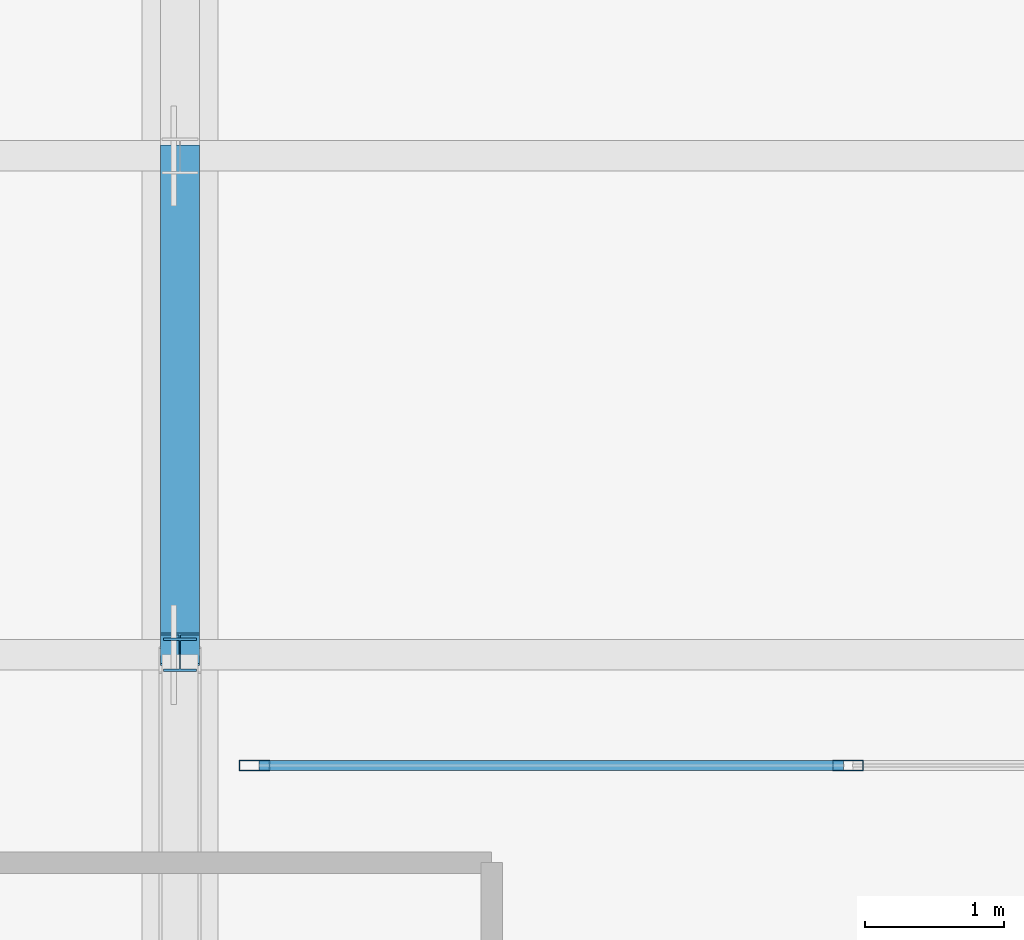
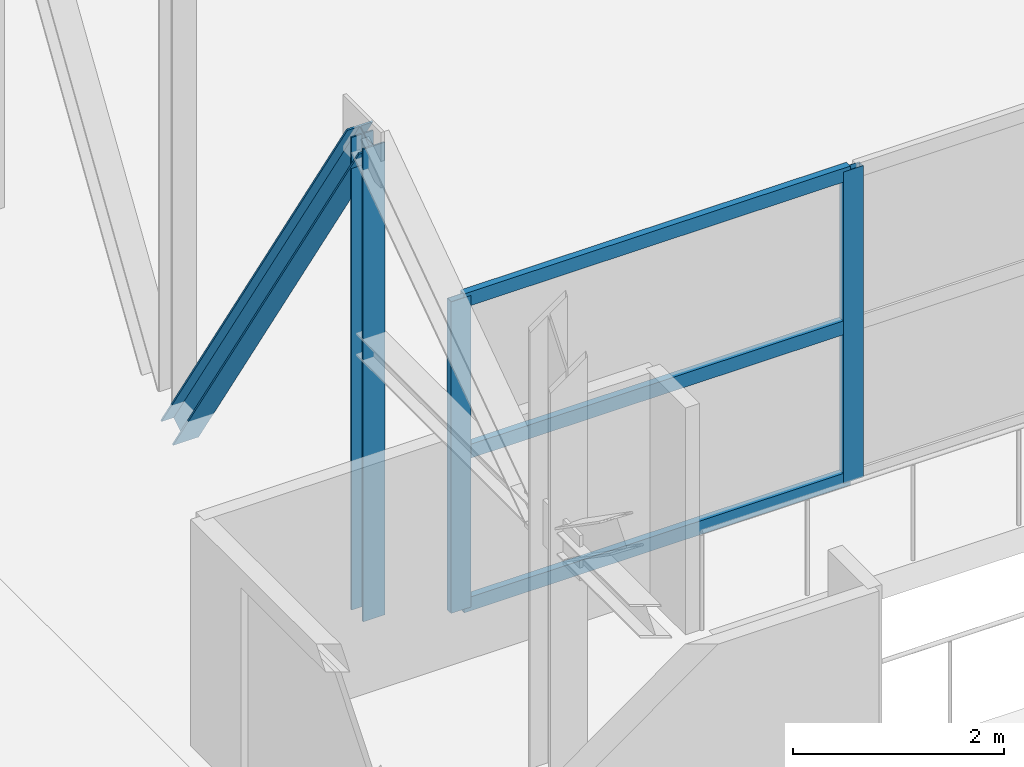
# One storey, part 103 of 191: 7 members, 1 element without a shape of its own.
"""IFC4 building model written with IfcOpenShell, lengths in metres."""

from ifc_helpers import new_model, si_unit, direction, frame, origin, origin_2d, place, context, subcontext, project, spatial, hollow_rectangle, i_section, extrude, material, layer, layer_set, material_profile, profile_set, type_object, element, aggregate, save


model = new_model("IFC4")

# Units and contexts
model_context = context("Model", 3, precision=1e-05, world=origin(), true_north=direction((0.0, 1.0)))
body_context = subcontext(model_context, "Body", "Model", "MODEL_VIEW")
ifc_project = project(units=[si_unit("LENGTHUNIT", "METRE"), si_unit("AREAUNIT", "SQUARE_METRE"), si_unit("VOLUMEUNIT", "CUBIC_METRE"), si_unit("PLANEANGLEUNIT", "RADIAN"), si_unit("MASSUNIT", "GRAM", prefix="KILO")], contexts=[model_context])

# Site, building, storey
site_placement = place(None, origin())
site = spatial("IfcSite", under=ifc_project, at=site_placement, CompositionType="ELEMENT")
building_placement = place(site_placement, origin())
building = spatial("IfcBuilding", under=site, at=building_placement, Name="Tamarisk Ironworks Central Station", CompositionType="ELEMENT")
storey_placement = place(building_placement, frame((0.0, 0.0, 6.60009765625)))
storey = spatial("IfcBuildingStorey", under=building, at=storey_placement, Name="L01", CompositionType="ELEMENT", Elevation=6.60009765625)

# Curtain wall, members
ifc_material_1 = material(Name="Anodized aluminium alloy 6063-T6", Category="aluminium")
ifc_layer = layer(ifc_material_1, 0.179931640625)
ifc_layer_set = layer_set([ifc_layer], Name="Anodized aluminium alloy 6063-T6")
curtain_wall_type = type_object("IfcCurtainWallType", Name="CW-24", PredefinedType="USERDEFINED", material=ifc_layer_set)
curtain_wall_placement = place(storey_placement, origin())
curtain_wall = element("IfcCurtainWall", 1, at=curtain_wall_placement, inside=storey, type_object=curtain_wall_type, Name="North bridge trackside east glazed screen", ObjectType="GLAZED CURTAIN WALL", PredefinedType="USERDEFINED")
ifc_material_profile_1 = material_profile(ifc_material_1, hollow_rectangle(XDim=0.074951171875, YDim=0.219970703125, WallThickness=0.00390625, at=origin_2d()), Name="ALUM 220x75")
ifc_profile_set_1 = profile_set([ifc_material_profile_1], Name="Anodized aluminium alloy 6063-T6")
member_type_1 = type_object("IfcMemberType", Name="CWM-01", PredefinedType="MULLION", material=ifc_profile_set_1)
member_1_placement = place(storey_placement, frame((90.53759765625, 67.60009765625, 0.0), z_axis=(0.0, 0.0, 1.0), x_axis=(0.0, 1.0, 0.0)))
member_1 = element("IfcMember", 2, at=member_1_placement, type_object=member_type_1, Name="CW24 mullion 1", PredefinedType="MULLION", context=body_context, shape_type="SweptSolid", body=[
    extrude(hollow_rectangle(XDim=0.074951171875, YDim=0.219970703125, WallThickness=0.00390625, at=origin_2d()), origin(), (0.0, 0.0, 1.0), 3.599853515625),
])
member_2_placement = place(storey_placement, frame((94.822998046875, 67.60009765625, 0.0), z_axis=(0.0, 0.0, 1.0), x_axis=(0.0, 1.0, 0.0)))
member_2 = element("IfcMember", 3, at=member_2_placement, type_object=member_type_1, Name="CW24 mullion 2", PredefinedType="MULLION", context=body_context, shape_type="SweptSolid", body=[
    extrude(hollow_rectangle(XDim=0.074951171875, YDim=0.219970703125, WallThickness=0.00390625, at=origin_2d()), origin(), (0.0, 0.0, 1.0), 3.599853515625),
])
ifc_material_profile_2 = material_profile(ifc_material_1, hollow_rectangle(XDim=0.074951171875, YDim=0.159912109375, WallThickness=0.00390625, at=origin_2d()), Name="ALUM 160x75")
ifc_profile_set_2 = profile_set([ifc_material_profile_2], Name="Anodized aluminium alloy 6063-T6")
member_type_2 = type_object("IfcMemberType", Name="CWT-01", PredefinedType="USERDEFINED", material=ifc_profile_set_2)
member_3_placement = place(storey_placement, frame((90.571044921875, 67.60009765625, 0.037353515625), z_axis=(1.0, 0.0, 0.0), x_axis=(0.0, 1.0, 0.0)))
member_3 = element("IfcMember", 4, at=member_3_placement, type_object=member_type_2, Name="CW24 transom 1.1", ObjectType="TRANSOM", PredefinedType="USERDEFINED", context=body_context, shape_type="SweptSolid", body=[
    extrude(hollow_rectangle(XDim=0.074951171875, YDim=0.159912109375, WallThickness=0.00390625, at=origin_2d()), origin(), (0.0, 0.0, 1.0), 4.218505859375),
])
member_4_placement = place(storey_placement, frame((90.571044921875, 67.60009765625, 1.7998046875), z_axis=(1.0, 0.0, 0.0), x_axis=(0.0, 1.0, 0.0)))
member_4 = element("IfcMember", 5, at=member_4_placement, type_object=member_type_2, Name="CW24 transom 1.2", ObjectType="TRANSOM", PredefinedType="USERDEFINED", context=body_context, shape_type="SweptSolid", body=[
    extrude(hollow_rectangle(XDim=0.074951171875, YDim=0.159912109375, WallThickness=0.00390625, at=origin_2d()), origin(), (0.0, 0.0, 1.0), 4.218505859375),
])
member_5_placement = place(storey_placement, frame((90.571044921875, 67.60009765625, 3.5625), z_axis=(1.0, 0.0, 0.0), x_axis=(0.0, 1.0, 0.0)))
member_5 = element("IfcMember", 6, at=member_5_placement, type_object=member_type_2, Name="CW24 transom 1.3", ObjectType="TRANSOM", PredefinedType="USERDEFINED", context=body_context, shape_type="SweptSolid", body=[
    extrude(hollow_rectangle(XDim=0.074951171875, YDim=0.159912109375, WallThickness=0.00390625, at=origin_2d()), origin(), (0.0, 0.0, 1.0), 4.218505859375),
])
aggregate(curtain_wall, [member_1, member_2, member_3, member_4, member_5])

# Members
ifc_material_2 = material(Name="Structural steel S355J2", Category="steel")
ifc_material_profile_3 = material_profile(ifc_material_2, i_section(OverallWidth=0.280029296875, OverallDepth=0.280029296875, WebThickness=0.010498046875, FlangeThickness=0.01806640625, at=origin_2d()), Name="HEB 280")
ifc_profile_set_3 = profile_set([ifc_material_profile_3], Name="Structural steel S355J2")
member_type_3 = type_object("IfcMemberType", Name="MB-TTD02", PredefinedType="BRACE", material=ifc_profile_set_3)
member_6_placement = place(storey_placement, frame((90.0, 68.43994140625, 5.119873046875), z_axis=(0.0, 0.539055818311, -0.842270042649), x_axis=(-1.0, 0.0, 0.0)))
element("IfcMember", 7, at=member_6_placement, inside=storey, type_object=member_type_3, Name="Transfer truss diagonal 079", PredefinedType="BRACE", context=body_context, shape_type="SweptSolid", body=[
    extrude(i_section(OverallWidth=0.280029296875, OverallDepth=0.280029296875, WebThickness=0.010498046875, FlangeThickness=0.01806640625, at=origin_2d()), origin(), (0.0, 0.0, 1.0), 6.530029296875),
])
ifc_material_profile_4 = material_profile(ifc_material_2, i_section(OverallWidth=0.239990234375, OverallDepth=0.239990234375, WebThickness=0.010009765625, FlangeThickness=0.01708984375, at=origin_2d()), Name="HEB 240")
ifc_profile_set_4 = profile_set([ifc_material_profile_4], Name="Structural steel S355J2")
member_type_4 = type_object("IfcMemberType", Name="MB-TTP02", PredefinedType="POST", material=ifc_profile_set_4)
member_7_placement = place(storey_placement, frame((90.0, 68.39990234375, -0.340087890625), z_axis=(0.0, 0.0, 1.0), x_axis=(1.0, 0.0, 0.0)))
element("IfcMember", 8, at=member_7_placement, inside=storey, type_object=member_type_4, Name="Transfer truss vertical post 080", PredefinedType="POST", context=body_context, shape_type="SweptSolid", body=[
    extrude(i_section(OverallWidth=0.239990234375, OverallDepth=0.239990234375, WebThickness=0.010009765625, FlangeThickness=0.01708984375, at=origin_2d()), origin(), (0.0, 0.0, 1.0), 5.4599609375),
])

save(model, "model.ifc")
